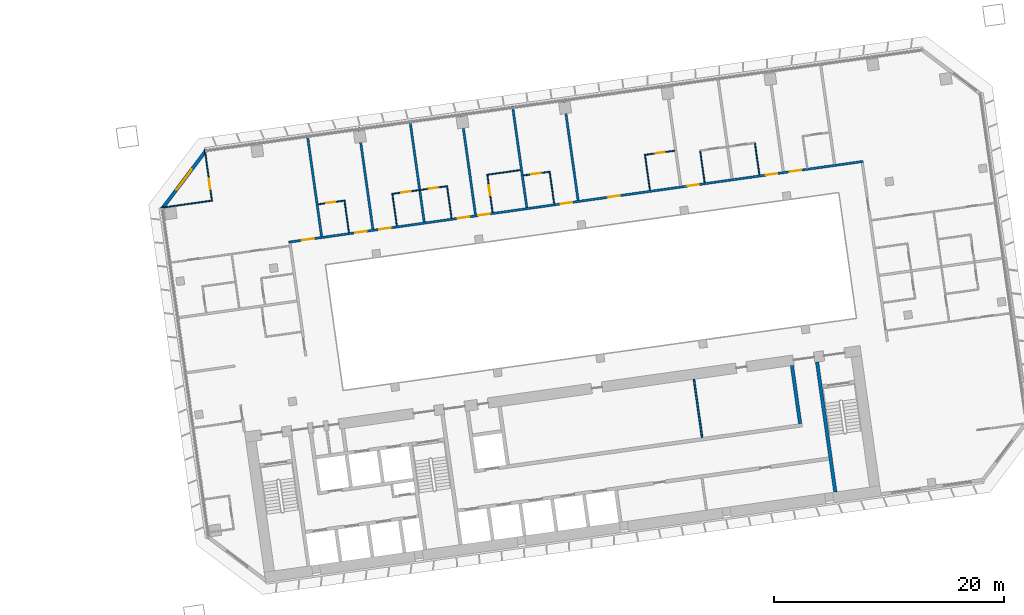
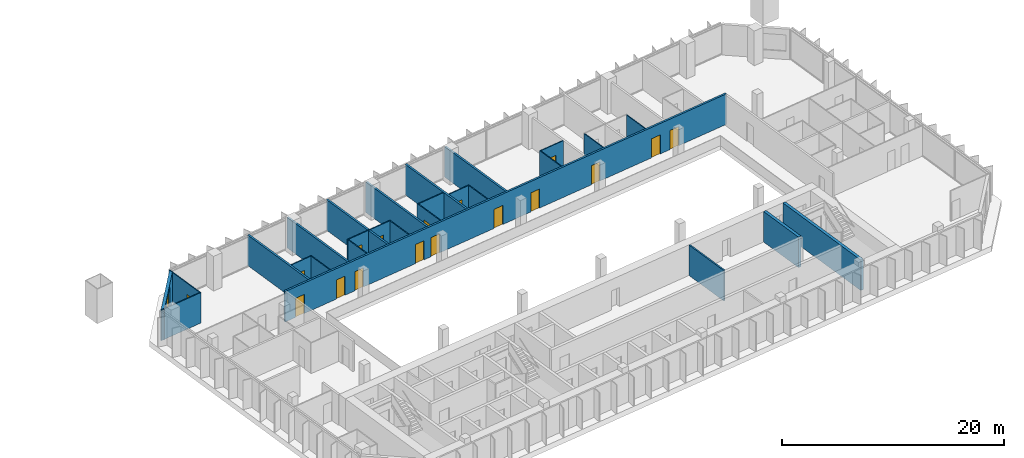
# One storey, part 20 of 24: 26 walls, 17 doors, 1 window, 18 openings.
"""IFC4 building model written with IfcOpenShell, lengths in metres."""

import ifcopenshell
import ifcopenshell.guid

model = None  # the IFC model being written
_history = None  # IfcOwnerHistory: only IFC2X3 demands one
_inside = {}  # id of a spatial element -> (the spatial element, [elements in it])
_under = {}  # id of a project, library or spatial element -> (it, [spatial elements below it])
_declared = {}  # id of a project -> (the project, [libraries it declares])
_typed = {}  # id of a type object -> (the type object, [elements of that type])
_made_of = {}  # id of a material, layer set ... -> (it, [elements and type objects made of it])


def new_model(schema):
    """Start an empty IFC model of exactly this schema.

    Asked for "IFC4X3", IfcOpenShell would pick the latest addendum, in which some entities
    have other attributes; the version numbers below select the first issue.
    IFC2X3 requires an IfcOwnerHistory on every rooted entity: one is made here for all.
    """
    global model, _history
    if schema == "IFC4X3":
        model = ifcopenshell.file(schema_version=(4, 3, 0, 0))
    else:
        model = ifcopenshell.file(schema=schema)
    _inside.clear()
    _under.clear()
    _declared.clear()
    _typed.clear()
    _made_of.clear()
    _history = None
    if model.schema == "IFC2X3":
        org = make("IfcOrganization", Name="unknown")
        user = make(
            "IfcPersonAndOrganization",
            ThePerson=make("IfcPerson", FamilyName="unknown"),
            TheOrganization=org,
        )
        app = make(
            "IfcApplication",
            ApplicationDeveloper=org,
            Version="unknown",
            ApplicationFullName="unknown",
            ApplicationIdentifier="unknown",
        )
        _history = make(
            "IfcOwnerHistory",
            OwningUser=user,
            OwningApplication=app,
            ChangeAction="ADDED",
            CreationDate=0,
        )
    return model


def make(cls, **values):
    """One entity of the class cls with the attributes given. An attribute that is None is left unset."""
    return model.create_entity(
        cls, **{name: value for name, value in values.items() if value is not None}
    )


def rooted(cls, **values):
    """An entity with a GlobalId (a new one), such as an element, a storey or a relation."""
    return make(cls, GlobalId=ifcopenshell.guid.new(), OwnerHistory=_history, **values)


def si_unit(unit_type, name, prefix=None):
    """IfcSIUnit, for example si_unit("LENGTHUNIT", "METRE", prefix="MILLI")."""
    return make("IfcSIUnit", UnitType=unit_type, Prefix=prefix, Name=name)


def assignment(units):
    """IfcUnitAssignment: the units of a project."""
    return None if units is None else make("IfcUnitAssignment", Units=units)


def point(xyz):
    """IfcCartesianPoint."""
    return None if xyz is None else make("IfcCartesianPoint", Coordinates=xyz)


def direction(xyz):
    """IfcDirection."""
    return None if xyz is None else make("IfcDirection", DirectionRatios=xyz)


def frame(location, z_axis=None, x_axis=None):
    """IfcAxis2Placement3D, a coordinate frame: its origin and axes. An axis left out is left unset."""
    return make(
        "IfcAxis2Placement3D",
        Location=point(location),
        Axis=direction(z_axis),
        RefDirection=direction(x_axis),
    )


def frame_2d(location, x_axis=None):
    """IfcAxis2Placement2D, a coordinate frame in the plane: its origin and x axis."""
    return make(
        "IfcAxis2Placement2D", Location=point(location), RefDirection=direction(x_axis)
    )


def origin():
    """The frame at (0, 0, 0) with its axes left unset."""
    return frame((0.0, 0.0, 0.0))


def place(relative_to, where):
    """IfcLocalPlacement: puts the frame where relative to a parent placement (None: the world)."""
    return make(
        "IfcLocalPlacement", PlacementRelTo=relative_to, RelativePlacement=where
    )


def context(
    kind, dimensions, precision=None, world=None, true_north=None, identifier=None
):
    """IfcGeometricRepresentationContext, for example the 3D "Model" context."""
    return make(
        "IfcGeometricRepresentationContext",
        ContextIdentifier=identifier,
        ContextType=kind,
        CoordinateSpaceDimension=dimensions,
        Precision=precision,
        WorldCoordinateSystem=world,
        TrueNorth=true_north,
    )


def subcontext(parent, identifier, kind, view, scale=None):
    """IfcGeometricRepresentationSubContext, for example "Body" below "Model"."""
    return make(
        "IfcGeometricRepresentationSubContext",
        ContextIdentifier=identifier,
        ContextType=kind,
        ParentContext=parent,
        TargetScale=scale,
        TargetView=view,
    )


def project(units=None, contexts=None):
    """IfcProject with its units and contexts."""
    return rooted(
        "IfcProject",
        Name="project",
        RepresentationContexts=contexts,
        UnitsInContext=assignment(units),
    )


def spatial(cls, under=None, at=None, **own):
    """A site, building, storey or space (cls), placed at a placement, below another one or the project."""
    s = rooted(cls, ObjectPlacement=at, **own)
    if under is not None:
        _under.setdefault(under.id(), (under, []))[1].append(s)
    return s


def profile(cls, at=None, kind="AREA", **sizes):
    """A parametric profile (cls). Its sizes go by their IFC names, for example OverallWidth=200.0."""
    return make(cls, ProfileType=kind, Position=at, **sizes)


def rectangle(**sizes):
    """IfcRectangleProfileDef."""
    return profile("IfcRectangleProfileDef", **sizes)


def extrude(swept, where, along, depth):
    """IfcExtrudedAreaSolid: the profile swept, set in the frame where, extruded along a direction by depth."""
    return make(
        "IfcExtrudedAreaSolid",
        SweptArea=swept,
        Position=where,
        ExtrudedDirection=direction(along),
        Depth=depth,
    )


def shape(context_of_items, identifier, shape_type, items):
    """IfcShapeRepresentation: the items that make up one representation, for example the "Body"."""
    return make(
        "IfcShapeRepresentation",
        ContextOfItems=context_of_items,
        RepresentationIdentifier=identifier,
        RepresentationType=shape_type,
        Items=items,
    )


def material(Name=None, Category=None):
    """IfcMaterial."""
    return make("IfcMaterial", Name=Name, Category=Category)


def layer(
    of_material, thickness, ventilated=None, Name=None, Category=None, Priority=None
):
    """IfcMaterialLayer: one layer of a wall or slab, of a material (None: an air gap)."""
    return make(
        "IfcMaterialLayer",
        Material=of_material,
        LayerThickness=thickness,
        IsVentilated=ventilated,
        Name=Name,
        Category=Category,
        Priority=Priority,
    )


def layer_set(layers, Name=None):
    """IfcMaterialLayerSet."""
    return make("IfcMaterialLayerSet", MaterialLayers=layers, LayerSetName=Name)


def made_of(thing, what):
    """Note that an element or type object is made of a material, layer set ...; save() writes the relation."""
    if what is not None:
        _made_of.setdefault(what.id(), (what, []))[1].append(thing)
    return thing


def type_object(cls, material=None, **own):
    """A type object (cls), such as IfcWallType, which elements share."""
    return made_of(rooted(cls, **own), material)


def element(
    cls,
    number,
    at=None,
    inside=None,
    cuts=None,
    type_object=None,
    material=None,
    context=None,
    identifier="Body",
    shape_type=None,
    held_by="IfcProductDefinitionShape",
    body=None,
    shapes=None,
    **own,
):
    """One element of the class cls, such as IfcWall. Its Tag is "e" and its number.

    at: its placement. inside: the storey or other place that contains it. cuts: it is an
    opening in that element (IfcRelVoidsElement). A single representation is given by context,
    identifier, shape_type and body (its items); several are given by shapes. held_by: the class
    of the entity that holds the representations. save() writes the other relations.
    """
    e = rooted(cls, Tag="e%d" % number, ObjectPlacement=at, **own)
    if body is not None:
        shapes = [shape(context, identifier, shape_type, body)]
    if shapes is not None:
        e.Representation = make(held_by, Representations=shapes)
    if inside is not None:
        _inside.setdefault(inside.id(), (inside, []))[1].append(e)
    if cuts is not None:
        rooted(
            "IfcRelVoidsElement", RelatingBuildingElement=cuts, RelatedOpeningElement=e
        )
    if type_object is not None:
        _typed.setdefault(type_object.id(), (type_object, []))[1].append(e)
    return made_of(e, material)


def fill(opening, filler):
    """IfcRelFillsElement: the door or window that sits in an opening."""
    return rooted(
        "IfcRelFillsElement",
        RelatingOpeningElement=opening,
        RelatedBuildingElement=filler,
    )


def aggregate(whole, parts):
    """IfcRelAggregates: a whole, such as a stair, and the parts it consists of."""
    return rooted("IfcRelAggregates", RelatingObject=whole, RelatedObjects=parts)


def save(model, path):
    """Write the relations noted so far, then the file.

    IfcRelAggregates (storeys below a building ...), IfcRelContainedInSpatialStructure (elements
    in a storey), IfcRelDefinesByType, IfcRelAssociatesMaterial and IfcRelDeclares: one each for
    every whole, place, type object, material and project.
    """
    for whole, parts in _under.values():
        aggregate(whole, parts)
    for where, things in _inside.values():
        rooted(
            "IfcRelContainedInSpatialStructure",
            RelatedElements=things,
            RelatingStructure=where,
        )
    for kind, things in _typed.values():
        rooted("IfcRelDefinesByType", RelatedObjects=things, RelatingType=kind)
    for what, things in _made_of.values():
        rooted("IfcRelAssociatesMaterial", RelatedObjects=things, RelatingMaterial=what)
    for by, libraries in _declared.values():
        rooted("IfcRelDeclares", RelatingContext=by, RelatedDefinitions=libraries)
    model.write(path)


model = new_model("IFC4")

# Units and contexts
model_context = context("Model", 3, precision=1e-05, world=origin(), true_north=direction((0.0, 1.0)))
body_context = subcontext(model_context, "Body", "Model", "MODEL_VIEW")
ifc_project = project(units=[si_unit("LENGTHUNIT", "METRE"), si_unit("AREAUNIT", "SQUARE_METRE"), si_unit("VOLUMEUNIT", "CUBIC_METRE"), si_unit("PLANEANGLEUNIT", "RADIAN"), si_unit("MASSUNIT", "GRAM", prefix="KILO")], contexts=[model_context])

# Site, building, storey
site_placement = place(None, origin())
site = spatial("IfcSite", under=ifc_project, at=site_placement, CompositionType="ELEMENT")
building_placement = place(site_placement, origin())
building = spatial("IfcBuilding", under=site, at=building_placement, Name="Mirante Cascada Hotel Towers", CompositionType="ELEMENT")
storey_placement = place(building_placement, frame((0.0, 0.0, 43.3)))
storey = spatial("IfcBuildingStorey", under=building, at=storey_placement, Name="L07", CompositionType="ELEMENT", Elevation=43.3)

# Wall, openings, doors
ifc_material_1 = material(Name="Fire-rated plasterboard on metal studs")
ifc_layer_1 = layer(ifc_material_1, 0.2)
ifc_layer_set_1 = layer_set([ifc_layer_1], Name="Compartment wall 200 EI 120")
wall_type_1 = type_object("IfcWallType", Name="Compartment wall 200 EI 120", PredefinedType="PARTITIONING", material=ifc_layer_set_1)
wall_1_placement = place(storey_placement, frame((39.1051, 9.3779, 0.0), z_axis=(0.0, 0.0, 1.0), x_axis=(0.9902681, 0.1391727, 0.0)))
wall_1 = element("IfcWall", 1, at=wall_1_placement, inside=storey, type_object=wall_type_1, Name="Wall 2-L07-18", PredefinedType="PARTITIONING", context=body_context, shape_type="SweptSolid", body=[
    extrude(rectangle(XDim=50.4, YDim=0.2, at=frame_2d((25.2, 0.0))), origin(), (0.0, 0.0, 1.0), 3.35),
])
opening_1_placement = place(wall_1_placement, frame((1.2, 0.0, 0.0)))
opening_1 = element("IfcOpeningElement", 2, at=opening_1_placement, cuts=wall_1, Name="Opening D2-L07-09", PredefinedType="OPENING", context=body_context, shape_type="SweptSolid", body=[
    extrude(rectangle(XDim=1.0, YDim=2.1, at=frame_2d((0.5, 1.05))), frame((0.0, 0.1, 0.0), z_axis=(0.0, -1.0, 0.0), x_axis=(1.0, 0.0, 0.0)), (0.0, 0.0, 1.0), 0.2),
])
opening_2_placement = place(wall_1_placement, frame((5.85, 0.0, 0.0)))
opening_2 = element("IfcOpeningElement", 3, at=opening_2_placement, cuts=wall_1, Name="Opening D2-L07-10", PredefinedType="OPENING", context=body_context, shape_type="SweptSolid", body=[
    extrude(rectangle(XDim=1.0, YDim=2.1, at=frame_2d((0.5, 1.05))), frame((0.0, 0.1, 0.0), z_axis=(0.0, -1.0, 0.0), x_axis=(1.0, 0.0, 0.0)), (0.0, 0.0, 1.0), 0.2),
])
opening_3_placement = place(wall_1_placement, frame((7.95, 0.0, 0.0)))
opening_3 = element("IfcOpeningElement", 4, at=opening_3_placement, cuts=wall_1, Name="Opening D2-L07-11", PredefinedType="OPENING", context=body_context, shape_type="SweptSolid", body=[
    extrude(rectangle(XDim=1.0, YDim=2.1, at=frame_2d((0.5, 1.05))), frame((0.0, 0.1, 0.0), z_axis=(0.0, -1.0, 0.0), x_axis=(1.0, 0.0, 0.0)), (0.0, 0.0, 1.0), 0.2),
])
opening_4_placement = place(wall_1_placement, frame((14.85, 0.0, 0.0)))
opening_4 = element("IfcOpeningElement", 5, at=opening_4_placement, cuts=wall_1, Name="Opening D2-L07-12", PredefinedType="OPENING", context=body_context, shape_type="SweptSolid", body=[
    extrude(rectangle(XDim=1.0, YDim=2.1, at=frame_2d((0.5, 1.05))), frame((0.0, 0.1, 0.0), z_axis=(0.0, -1.0, 0.0), x_axis=(1.0, 0.0, 0.0)), (0.0, 0.0, 1.0), 0.2),
])
opening_5_placement = place(wall_1_placement, frame((16.65, 0.0, 0.0)))
opening_5 = element("IfcOpeningElement", 6, at=opening_5_placement, cuts=wall_1, Name="Opening D2-L07-13", PredefinedType="OPENING", context=body_context, shape_type="SweptSolid", body=[
    extrude(rectangle(XDim=1.0, YDim=2.1, at=frame_2d((0.5, 1.05))), frame((0.0, 0.1, 0.0), z_axis=(0.0, -1.0, 0.0), x_axis=(1.0, 0.0, 0.0)), (0.0, 0.0, 1.0), 0.2),
])
opening_6_placement = place(wall_1_placement, frame((23.85, 0.0, 0.0)))
opening_6 = element("IfcOpeningElement", 7, at=opening_6_placement, cuts=wall_1, Name="Opening D2-L07-14", PredefinedType="OPENING", context=body_context, shape_type="SweptSolid", body=[
    extrude(rectangle(XDim=1.0, YDim=2.1, at=frame_2d((0.5, 1.05))), frame((0.0, 0.1, 0.0), z_axis=(0.0, -1.0, 0.0), x_axis=(1.0, 0.0, 0.0)), (0.0, 0.0, 1.0), 0.2),
])
opening_7_placement = place(wall_1_placement, frame((28.05, 0.0, 0.0)))
opening_7 = element("IfcOpeningElement", 8, at=opening_7_placement, cuts=wall_1, Name="Opening D2-L07-15", PredefinedType="OPENING", context=body_context, shape_type="SweptSolid", body=[
    extrude(rectangle(XDim=1.0, YDim=2.1, at=frame_2d((0.5, 1.05))), frame((0.0, 0.1, 0.0), z_axis=(0.0, -1.0, 0.0), x_axis=(1.0, 0.0, 0.0)), (0.0, 0.0, 1.0), 0.2),
])
opening_8_placement = place(wall_1_placement, frame((34.95, 0.0, 0.0)))
opening_8 = element("IfcOpeningElement", 9, at=opening_8_placement, cuts=wall_1, Name="Opening D2-L07-16", PredefinedType="OPENING", context=body_context, shape_type="SweptSolid", body=[
    extrude(rectangle(XDim=1.0, YDim=2.1, at=frame_2d((0.5, 1.05))), frame((0.0, 0.1, 0.0), z_axis=(0.0, -1.0, 0.0), x_axis=(1.0, 0.0, 0.0)), (0.0, 0.0, 1.0), 0.2),
])
opening_9_placement = place(wall_1_placement, frame((41.85, 0.0, 0.0)))
opening_9 = element("IfcOpeningElement", 10, at=opening_9_placement, cuts=wall_1, Name="Opening D2-L07-17", PredefinedType="OPENING", context=body_context, shape_type="SweptSolid", body=[
    extrude(rectangle(XDim=1.0, YDim=2.1, at=frame_2d((0.5, 1.05))), frame((0.0, 0.1, 0.0), z_axis=(0.0, -1.0, 0.0), x_axis=(1.0, 0.0, 0.0)), (0.0, 0.0, 1.0), 0.2),
])
opening_10_placement = place(wall_1_placement, frame((43.95, 0.0, 0.0)))
opening_10 = element("IfcOpeningElement", 11, at=opening_10_placement, cuts=wall_1, Name="Opening D2-L07-18", PredefinedType="OPENING", context=body_context, shape_type="SweptSolid", body=[
    extrude(rectangle(XDim=1.0, YDim=2.1, at=frame_2d((0.5, 1.05))), frame((0.0, 0.1, 0.0), z_axis=(0.0, -1.0, 0.0), x_axis=(1.0, 0.0, 0.0)), (0.0, 0.0, 1.0), 0.2),
])
ifc_material_2 = material(Name="Fire-rated timber door leaf", Category="wood")
door_type_1 = type_object("IfcDoorType", Name="Entrance door DG1 1000x2100 EI 60", OperationType="SINGLE_SWING_LEFT", PredefinedType="DOOR", material=ifc_material_2)
door_1_placement = place(opening_1_placement, origin())
door_1 = element("IfcDoor", 12, at=door_1_placement, inside=storey, type_object=door_type_1, Name="Door D2-L07-09", OperationType="SINGLE_SWING_LEFT", OverallHeight=2.1, OverallWidth=1.0, PredefinedType="DOOR", context=body_context, shape_type="SweptSolid", body=[
    extrude(rectangle(XDim=1.0, YDim=2.1, at=frame_2d((0.5, 1.05))), frame((0.0, 0.025, 0.0), z_axis=(0.0, -1.0, 0.0), x_axis=(1.0, 0.0, 0.0)), (0.0, 0.0, 1.0), 0.05),
])
fill(opening_1, door_1)
door_2_placement = place(opening_2_placement, origin())
door_2 = element("IfcDoor", 13, at=door_2_placement, inside=storey, type_object=door_type_1, Name="Door D2-L07-10", OperationType="SINGLE_SWING_LEFT", OverallHeight=2.1, OverallWidth=1.0, PredefinedType="DOOR", context=body_context, shape_type="SweptSolid", body=[
    extrude(rectangle(XDim=1.0, YDim=2.1, at=frame_2d((0.5, 1.05))), frame((0.0, 0.025, 0.0), z_axis=(0.0, -1.0, 0.0), x_axis=(1.0, 0.0, 0.0)), (0.0, 0.0, 1.0), 0.05),
])
fill(opening_2, door_2)
door_3_placement = place(opening_3_placement, origin())
door_3 = element("IfcDoor", 14, at=door_3_placement, inside=storey, type_object=door_type_1, Name="Door D2-L07-11", OperationType="SINGLE_SWING_LEFT", OverallHeight=2.1, OverallWidth=1.0, PredefinedType="DOOR", context=body_context, shape_type="SweptSolid", body=[
    extrude(rectangle(XDim=1.0, YDim=2.1, at=frame_2d((0.5, 1.05))), frame((0.0, 0.025, 0.0), z_axis=(0.0, -1.0, 0.0), x_axis=(1.0, 0.0, 0.0)), (0.0, 0.0, 1.0), 0.05),
])
fill(opening_3, door_3)
door_4_placement = place(opening_4_placement, origin())
door_4 = element("IfcDoor", 15, at=door_4_placement, inside=storey, type_object=door_type_1, Name="Door D2-L07-12", OperationType="SINGLE_SWING_LEFT", OverallHeight=2.1, OverallWidth=1.0, PredefinedType="DOOR", context=body_context, shape_type="SweptSolid", body=[
    extrude(rectangle(XDim=1.0, YDim=2.1, at=frame_2d((0.5, 1.05))), frame((0.0, 0.025, 0.0), z_axis=(0.0, -1.0, 0.0), x_axis=(1.0, 0.0, 0.0)), (0.0, 0.0, 1.0), 0.05),
])
fill(opening_4, door_4)
door_5_placement = place(opening_5_placement, origin())
door_5 = element("IfcDoor", 16, at=door_5_placement, inside=storey, type_object=door_type_1, Name="Door D2-L07-13", OperationType="SINGLE_SWING_LEFT", OverallHeight=2.1, OverallWidth=1.0, PredefinedType="DOOR", context=body_context, shape_type="SweptSolid", body=[
    extrude(rectangle(XDim=1.0, YDim=2.1, at=frame_2d((0.5, 1.05))), frame((0.0, 0.025, 0.0), z_axis=(0.0, -1.0, 0.0), x_axis=(1.0, 0.0, 0.0)), (0.0, 0.0, 1.0), 0.05),
])
fill(opening_5, door_5)
door_6_placement = place(opening_6_placement, origin())
door_6 = element("IfcDoor", 17, at=door_6_placement, inside=storey, type_object=door_type_1, Name="Door D2-L07-14", OperationType="SINGLE_SWING_LEFT", OverallHeight=2.1, OverallWidth=1.0, PredefinedType="DOOR", context=body_context, shape_type="SweptSolid", body=[
    extrude(rectangle(XDim=1.0, YDim=2.1, at=frame_2d((0.5, 1.05))), frame((0.0, 0.025, 0.0), z_axis=(0.0, -1.0, 0.0), x_axis=(1.0, 0.0, 0.0)), (0.0, 0.0, 1.0), 0.05),
])
fill(opening_6, door_6)
door_7_placement = place(opening_7_placement, origin())
door_7 = element("IfcDoor", 18, at=door_7_placement, inside=storey, type_object=door_type_1, Name="Door D2-L07-15", OperationType="SINGLE_SWING_LEFT", OverallHeight=2.1, OverallWidth=1.0, PredefinedType="DOOR", context=body_context, shape_type="SweptSolid", body=[
    extrude(rectangle(XDim=1.0, YDim=2.1, at=frame_2d((0.5, 1.05))), frame((0.0, 0.025, 0.0), z_axis=(0.0, -1.0, 0.0), x_axis=(1.0, 0.0, 0.0)), (0.0, 0.0, 1.0), 0.05),
])
fill(opening_7, door_7)
door_8_placement = place(opening_8_placement, origin())
door_8 = element("IfcDoor", 19, at=door_8_placement, inside=storey, type_object=door_type_1, Name="Door D2-L07-16", OperationType="SINGLE_SWING_LEFT", OverallHeight=2.1, OverallWidth=1.0, PredefinedType="DOOR", context=body_context, shape_type="SweptSolid", body=[
    extrude(rectangle(XDim=1.0, YDim=2.1, at=frame_2d((0.5, 1.05))), frame((0.0, 0.025, 0.0), z_axis=(0.0, -1.0, 0.0), x_axis=(1.0, 0.0, 0.0)), (0.0, 0.0, 1.0), 0.05),
])
fill(opening_8, door_8)
door_9_placement = place(opening_9_placement, origin())
door_9 = element("IfcDoor", 20, at=door_9_placement, inside=storey, type_object=door_type_1, Name="Door D2-L07-17", OperationType="SINGLE_SWING_LEFT", OverallHeight=2.1, OverallWidth=1.0, PredefinedType="DOOR", context=body_context, shape_type="SweptSolid", body=[
    extrude(rectangle(XDim=1.0, YDim=2.1, at=frame_2d((0.5, 1.05))), frame((0.0, 0.025, 0.0), z_axis=(0.0, -1.0, 0.0), x_axis=(1.0, 0.0, 0.0)), (0.0, 0.0, 1.0), 0.05),
])
fill(opening_9, door_9)
door_10_placement = place(opening_10_placement, origin())
door_10 = element("IfcDoor", 21, at=door_10_placement, inside=storey, type_object=door_type_1, Name="Door D2-L07-18", OperationType="SINGLE_SWING_LEFT", OverallHeight=2.1, OverallWidth=1.0, PredefinedType="DOOR", context=body_context, shape_type="SweptSolid", body=[
    extrude(rectangle(XDim=1.0, YDim=2.1, at=frame_2d((0.5, 1.05))), frame((0.0, 0.025, 0.0), z_axis=(0.0, -1.0, 0.0), x_axis=(1.0, 0.0, 0.0)), (0.0, 0.0, 1.0), 0.05),
])
fill(opening_10, door_10)

# Walls
for number, where, z_axis, x_axis, name in (
    (22, (40.7243, 18.6939, 0.0), (0.0, 0.0, 1.0), (0.1391794, -0.9902672, 0.0), "Wall 2-L07-35"),
    (23, (45.1805, 19.3202, 0.0), (0.0, 0.0, 1.0), (0.1391794, -0.9902672, 0.0), "Wall 2-L07-37"),
    (24, (49.6367, 19.9465, 0.0), (0.0, 0.0, 1.0), (0.1391794, -0.9902672, 0.0), "Wall 2-L07-39"),
    (25, (54.0929, 20.5728, 0.0), (0.0, 0.0, 1.0), (0.1391794, -0.9902672, 0.0), "Wall 2-L07-41"),
):
    element("IfcWall", number, at=place(storey_placement, frame(where, z_axis=z_axis, x_axis=x_axis)), inside=storey, type_object=wall_type_1, Name=name, PredefinedType="PARTITIONING", context=body_context, shape_type="SweptSolid", body=[
        extrude(rectangle(XDim=8.9, YDim=0.2, at=frame_2d((4.45, 0.0))), origin(), (0.0, 0.0, 1.0), 3.35),
    ])
wall_2_placement = place(storey_placement, frame((58.5492, 21.199, 0.0), z_axis=(0.0, 0.0, 1.0), x_axis=(0.13917, -0.9902685, 0.0)))
element("IfcWall", 26, at=wall_2_placement, inside=storey, type_object=wall_type_1, Name="Wall 2-L07-43", PredefinedType="PARTITIONING", context=body_context, shape_type="SweptSolid", body=[
    extrude(rectangle(XDim=8.8999, YDim=0.2, at=frame_2d((4.45, 0.0))), origin(), (0.0, 0.0, 1.0), 3.35),
])
wall_3_placement = place(storey_placement, frame((63.0054, 21.8253, 0.0), z_axis=(0.0, 0.0, 1.0), x_axis=(0.1391684, -0.9902687, 0.0)))
element("IfcWall", 27, at=wall_3_placement, inside=storey, type_object=wall_type_1, Name="Wall 2-L07-45", PredefinedType="PARTITIONING", context=body_context, shape_type="SweptSolid", body=[
    extrude(rectangle(XDim=8.9, YDim=0.2, at=frame_2d((4.45, 0.0))), origin(), (0.0, 0.0, 1.0), 3.35),
])
ifc_material_3 = material(Name="Masonry block", Category="masonry")
ifc_layer_2 = layer(ifc_material_3, 0.15)
ifc_layer_set_2 = layer_set([ifc_layer_2], Name="Core room partition 150 block EI 30")
wall_type_2 = type_object("IfcWallType", Name="Core room partition 150 block EI 30", PredefinedType="PARTITIONING", material=ifc_layer_set_2)
wall_4_placement = place(storey_placement, frame((75.016, -7.5894, 0.0), z_axis=(0.0, 0.0, 1.0), x_axis=(-0.1391755, 0.9902677, 0.0)))
element("IfcWall", 28, at=wall_4_placement, inside=storey, type_object=wall_type_2, Name="Core wall partition T2 L07 6", PredefinedType="PARTITIONING", context=body_context, shape_type="SweptSolid", body=[
    extrude(rectangle(XDim=5.1, YDim=0.15, at=frame_2d((2.55, 0.0))), origin(), (0.0, 0.0, 1.0), 3.35),
])

# Wall, opening, door
ifc_material_4 = material(Name="Plasterboard on metal studs")
ifc_layer_3 = layer(ifc_material_4, 0.1)
ifc_layer_set_3 = layer_set([ifc_layer_3], Name="Partition 100")
wall_type_3 = type_object("IfcWallType", Name="Partition 100", PredefinedType="PARTITIONING", material=ifc_layer_set_3)
wall_5_placement = place(storey_placement, frame((43.9004, 12.9804, 0.0), z_axis=(0.0, 0.0, 1.0), x_axis=(-0.9902643, -0.1391997, 0.0)))
wall_5 = element("IfcWall", 29, at=wall_5_placement, inside=storey, type_object=wall_type_3, Name="Wall 2-L07-19", PredefinedType="PARTITIONING", context=body_context, shape_type="SweptSolid", body=[
    extrude(rectangle(XDim=2.25, YDim=0.1, at=frame_2d((1.125, 0.0))), origin(), (0.0, 0.0, 1.0), 3.35),
])
opening_11_placement = place(wall_5_placement, frame((0.75, 0.0, 0.0)))
opening_11 = element("IfcOpeningElement", 30, at=opening_11_placement, cuts=wall_5, Name="Opening D2-L07-19", PredefinedType="OPENING", context=body_context, shape_type="SweptSolid", body=[
    extrude(rectangle(XDim=0.8, YDim=2.1, at=frame_2d((0.4, 1.05))), frame((0.0, 0.05, 0.0), z_axis=(0.0, -1.0, 0.0), x_axis=(1.0, 0.0, 0.0)), (0.0, 0.0, 1.0), 0.1),
])
ifc_material_5 = material(Name="Timber door leaf", Category="wood")
door_type_2 = type_object("IfcDoorType", Name="Bathroom door DG4 800x2100", OperationType="SINGLE_SWING_LEFT", PredefinedType="DOOR", material=ifc_material_5)
door_11_placement = place(opening_11_placement, frame((0.8, 0.0, 0.0), z_axis=(0.0, 0.0, 1.0), x_axis=(-1.0, 0.0, 0.0)))
door_11 = element("IfcDoor", 31, at=door_11_placement, inside=storey, type_object=door_type_2, Name="Door D2-L07-19", OperationType="SINGLE_SWING_RIGHT", OverallHeight=2.1, OverallWidth=0.8, PredefinedType="DOOR", context=body_context, shape_type="SweptSolid", body=[
    extrude(rectangle(XDim=0.8, YDim=2.1, at=frame_2d((0.4, 1.05))), frame((0.0, 0.025, 0.0), z_axis=(0.0, -1.0, 0.0), x_axis=(1.0, 0.0, 0.0)), (0.0, 0.0, 1.0), 0.05),
])
fill(opening_11, door_11)

# Wall, openings, doors
wall_6_placement = place(storey_placement, frame((48.0595, 13.5649, 0.0), z_axis=(0.0, 0.0, 1.0), x_axis=(0.9902698, 0.139161, 0.0)))
wall_6 = element("IfcWall", 32, at=wall_6_placement, inside=storey, type_object=wall_type_3, Name="Wall 2-L07-20", PredefinedType="PARTITIONING", context=body_context, shape_type="SweptSolid", body=[
    extrude(rectangle(XDim=4.9001, YDim=0.1, at=frame_2d((2.45, 0.0))), origin(), (0.0, 0.0, 1.0), 3.35),
])
opening_12_placement = place(wall_6_placement, frame((0.85, 0.0, 0.0)))
opening_12 = element("IfcOpeningElement", 33, at=opening_12_placement, cuts=wall_6, Name="Opening D2-L07-20", PredefinedType="OPENING", context=body_context, shape_type="SweptSolid", body=[
    extrude(rectangle(XDim=0.8, YDim=2.1, at=frame_2d((0.4, 1.05))), frame((0.0, 0.05, 0.0), z_axis=(0.0, -1.0, 0.0), x_axis=(1.0, 0.0, 0.0)), (0.0, 0.0, 1.0), 0.1),
])
opening_13_placement = place(wall_6_placement, frame((3.25, 0.0, 0.0)))
opening_13 = element("IfcOpeningElement", 34, at=opening_13_placement, cuts=wall_6, Name="Opening D2-L07-21", PredefinedType="OPENING", context=body_context, shape_type="SweptSolid", body=[
    extrude(rectangle(XDim=0.8, YDim=2.1, at=frame_2d((0.4, 1.05))), frame((0.0, 0.05, 0.0), z_axis=(0.0, -1.0, 0.0), x_axis=(1.0, 0.0, 0.0)), (0.0, 0.0, 1.0), 0.1),
])
door_12_placement = place(opening_12_placement, origin())
door_12 = element("IfcDoor", 35, at=door_12_placement, inside=storey, type_object=door_type_2, Name="Door D2-L07-20", OperationType="SINGLE_SWING_LEFT", OverallHeight=2.1, OverallWidth=0.8, PredefinedType="DOOR", context=body_context, shape_type="SweptSolid", body=[
    extrude(rectangle(XDim=0.8, YDim=2.1, at=frame_2d((0.4, 1.05))), frame((0.0, 0.025, 0.0), z_axis=(0.0, -1.0, 0.0), x_axis=(1.0, 0.0, 0.0)), (0.0, 0.0, 1.0), 0.05),
])
fill(opening_12, door_12)
door_13_placement = place(opening_13_placement, origin())
door_13 = element("IfcDoor", 36, at=door_13_placement, inside=storey, type_object=door_type_2, Name="Door D2-L07-21", OperationType="SINGLE_SWING_LEFT", OverallHeight=2.1, OverallWidth=0.8, PredefinedType="DOOR", context=body_context, shape_type="SweptSolid", body=[
    extrude(rectangle(XDim=0.8, YDim=2.1, at=frame_2d((0.4, 1.05))), frame((0.0, 0.025, 0.0), z_axis=(0.0, -1.0, 0.0), x_axis=(1.0, 0.0, 0.0)), (0.0, 0.0, 1.0), 0.05),
])
fill(opening_13, door_13)

# Wall, opening, door
wall_7_placement = place(storey_placement, frame((61.7252, 15.4855, 0.0), z_axis=(0.0, 0.0, 1.0), x_axis=(-0.9902643, -0.1391997, 0.0)))
wall_7 = element("IfcWall", 37, at=wall_7_placement, inside=storey, type_object=wall_type_3, Name="Wall 2-L07-21", PredefinedType="PARTITIONING", context=body_context, shape_type="SweptSolid", body=[
    extrude(rectangle(XDim=2.25, YDim=0.1, at=frame_2d((1.125, 0.0))), origin(), (0.0, 0.0, 1.0), 3.35),
])
opening_14_placement = place(wall_7_placement, frame((0.75, 0.0, 0.0)))
opening_14 = element("IfcOpeningElement", 38, at=opening_14_placement, cuts=wall_7, Name="Opening D2-L07-22", PredefinedType="OPENING", context=body_context, shape_type="SweptSolid", body=[
    extrude(rectangle(XDim=0.8, YDim=2.1, at=frame_2d((0.4, 1.05))), frame((0.0, 0.05, 0.0), z_axis=(0.0, -1.0, 0.0), x_axis=(1.0, 0.0, 0.0)), (0.0, 0.0, 1.0), 0.1),
])
door_14_placement = place(opening_14_placement, frame((0.8, 0.0, 0.0), z_axis=(0.0, 0.0, 1.0), x_axis=(-1.0, 0.0, 0.0)))
door_14 = element("IfcDoor", 39, at=door_14_placement, inside=storey, type_object=door_type_2, Name="Door D2-L07-22", OperationType="SINGLE_SWING_RIGHT", OverallHeight=2.1, OverallWidth=0.8, PredefinedType="DOOR", context=body_context, shape_type="SweptSolid", body=[
    extrude(rectangle(XDim=0.8, YDim=2.1, at=frame_2d((0.4, 1.05))), frame((0.0, 0.025, 0.0), z_axis=(0.0, -1.0, 0.0), x_axis=(1.0, 0.0, 0.0)), (0.0, 0.0, 1.0), 0.05),
])
fill(opening_14, door_14)

wall_8_placement = place(storey_placement, frame((70.1008, 16.9655, 0.0), z_axis=(0.0, 0.0, 1.0), x_axis=(0.9902677, 0.1391755, 0.0)))
wall_8 = element("IfcWall", 40, at=wall_8_placement, inside=storey, type_object=wall_type_3, Name="Wall 2-L07-24", PredefinedType="PARTITIONING", context=body_context, shape_type="SweptSolid", body=[
    extrude(rectangle(XDim=2.55, YDim=0.1, at=frame_2d((1.275, 0.0))), origin(), (0.0, 0.0, 1.0), 3.35),
])
opening_15_placement = place(wall_8_placement, frame((0.9, 0.0, 0.0)))
opening_15 = element("IfcOpeningElement", 41, at=opening_15_placement, cuts=wall_8, Name="Opening D2-L07-26", PredefinedType="OPENING", context=body_context, shape_type="SweptSolid", body=[
    extrude(rectangle(XDim=0.8, YDim=2.1, at=frame_2d((0.4, 1.05))), frame((0.0, 0.05, 0.0), z_axis=(0.0, -1.0, 0.0), x_axis=(1.0, 0.0, 0.0)), (0.0, 0.0, 1.0), 0.1),
])
door_15_placement = place(opening_15_placement, origin())
door_15 = element("IfcDoor", 42, at=door_15_placement, inside=storey, type_object=door_type_2, Name="Door D2-L07-26", OperationType="SINGLE_SWING_LEFT", OverallHeight=2.1, OverallWidth=0.8, PredefinedType="DOOR", context=body_context, shape_type="SweptSolid", body=[
    extrude(rectangle(XDim=0.8, YDim=2.1, at=frame_2d((0.4, 1.05))), frame((0.0, 0.025, 0.0), z_axis=(0.0, -1.0, 0.0), x_axis=(1.0, 0.0, 0.0)), (0.0, 0.0, 1.0), 0.05),
])
fill(opening_15, door_15)

# Walls
wall_9_placement = place(storey_placement, frame((59.2295, 15.6396, 0.0), z_axis=(0.0, 0.0, 1.0), x_axis=(-0.9902704, -0.1391564, 0.0)))
element("IfcWall", 43, at=wall_9_placement, inside=storey, type_object=wall_type_3, Name="Wall 2-L07-25", PredefinedType="PARTITIONING", context=body_context, shape_type="SweptSolid", body=[
    extrude(rectangle(XDim=2.85, YDim=0.1, at=frame_2d((1.425, 0.0))), origin(), (0.0, 0.0, 1.0), 3.35),
])
wall_10_placement = place(storey_placement, frame((27.982, 12.3589, 0.0), z_axis=(0.0, 0.0, 1.0), x_axis=(0.9902691, 0.1391656, 0.0)))
element("IfcWall", 44, at=wall_10_placement, inside=storey, type_object=wall_type_3, Name="Wall 2-L07-26", PredefinedType="PARTITIONING", context=body_context, shape_type="SweptSolid", body=[
    extrude(rectangle(XDim=4.55, YDim=0.1, at=frame_2d((2.275, 0.0))), origin(), (0.0, 0.0, 1.0), 3.35),
])

# Wall, opening, door
wall_11_placement = place(storey_placement, frame((32.4312, 13.0347, 0.0), z_axis=(0.0, 0.0, 1.0), x_axis=(-0.1391684, 0.9902687, 0.0)))
wall_11 = element("IfcWall", 45, at=wall_11_placement, inside=storey, type_object=wall_type_3, Name="Wall 2-L07-30", PredefinedType="PARTITIONING", context=body_context, shape_type="SweptSolid", body=[
    extrude(rectangle(XDim=4.45, YDim=0.1, at=frame_2d((2.225, 0.0))), origin(), (0.0, 0.0, 1.0), 3.35),
])
opening_16_placement = place(wall_11_placement, frame((0.9667, 0.0, 0.0)))
opening_16 = element("IfcOpeningElement", 46, at=opening_16_placement, cuts=wall_11, Name="Opening D2-L07-30", PredefinedType="OPENING", context=body_context, shape_type="SweptSolid", body=[
    extrude(rectangle(XDim=0.9, YDim=2.1, at=frame_2d((0.45, 1.05))), frame((0.0, 0.05, 0.0), z_axis=(0.0, -1.0, 0.0), x_axis=(1.0, 0.0, 0.0)), (0.0, 0.0, 1.0), 0.1),
])
ifc_material_6 = material(Name="Timber door leaf", Category="wood")
door_type_3 = type_object("IfcDoorType", Name="Room door DG3 900x2100", OperationType="SINGLE_SWING_LEFT", PredefinedType="DOOR", material=ifc_material_6)
door_16_placement = place(opening_16_placement, frame((0.9, 0.0, 0.0), z_axis=(0.0, 0.0, 1.0), x_axis=(-1.0, 0.0, 0.0)))
door_16 = element("IfcDoor", 47, at=door_16_placement, inside=storey, type_object=door_type_3, Name="Door D2-L07-30", OperationType="SINGLE_SWING_RIGHT", OverallHeight=2.1, OverallWidth=0.9, PredefinedType="DOOR", context=body_context, shape_type="SweptSolid", body=[
    extrude(rectangle(XDim=0.9, YDim=2.1, at=frame_2d((0.45, 1.05))), frame((0.0, 0.025, 0.0), z_axis=(0.0, -1.0, 0.0), x_axis=(1.0, 0.0, 0.0)), (0.0, 0.0, 1.0), 0.05),
])
fill(opening_16, door_16)

# Walls
wall_12_placement = place(storey_placement, frame((44.3396, 10.2146, 0.0), z_axis=(0.0, 0.0, 1.0), x_axis=(-0.1391613, 0.9902697, 0.0)))
element("IfcWall", 48, at=wall_12_placement, inside=storey, type_object=wall_type_3, Name="Wall 2-L07-36", PredefinedType="PARTITIONING", context=body_context, shape_type="SweptSolid", body=[
    extrude(rectangle(XDim=2.8499, YDim=0.1, at=frame_2d((1.425, 0.0))), origin(), (0.0, 0.0, 1.0), 3.35),
])
wall_13_placement = place(storey_placement, frame((48.4987, 10.7991, 0.0), z_axis=(0.0, 0.0, 1.0), x_axis=(-0.1391657, 0.9902691, 0.0)))
element("IfcWall", 49, at=wall_13_placement, inside=storey, type_object=wall_type_3, Name="Wall 2-L07-38", PredefinedType="PARTITIONING", context=body_context, shape_type="SweptSolid", body=[
    extrude(rectangle(XDim=2.75, YDim=0.1, at=frame_2d((1.375, 0.0))), origin(), (0.0, 0.0, 1.0), 3.35),
])
wall_14_placement = place(storey_placement, frame((53.252, 11.4671, 0.0), z_axis=(0.0, 0.0, 1.0), x_axis=(-0.1391607, 0.9902698, 0.0)))
element("IfcWall", 50, at=wall_14_placement, inside=storey, type_object=wall_type_3, Name="Wall 2-L07-40", PredefinedType="PARTITIONING", context=body_context, shape_type="SweptSolid", body=[
    extrude(rectangle(XDim=2.7501, YDim=0.1, at=frame_2d((1.3751, 0.0))), origin(), (0.0, 0.0, 1.0), 3.35),
])

# Wall, opening, door
wall_15_placement = place(storey_placement, frame((56.817, 11.9681, 0.0), z_axis=(0.0, 0.0, 1.0), x_axis=(-0.1391643, 0.9902693, 0.0)))
wall_15 = element("IfcWall", 51, at=wall_15_placement, inside=storey, type_object=wall_type_3, Name="Wall 2-L07-42", PredefinedType="PARTITIONING", context=body_context, shape_type="SweptSolid", body=[
    extrude(rectangle(XDim=3.35, YDim=0.1, at=frame_2d((1.675, 0.0))), origin(), (0.0, 0.0, 1.0), 3.35),
])
opening_17_placement = place(wall_15_placement, frame((1.49, 0.0, 0.0)))
opening_17 = element("IfcOpeningElement", 52, at=opening_17_placement, cuts=wall_15, Name="Opening D2-L07-34", PredefinedType="OPENING", context=body_context, shape_type="SweptSolid", body=[
    extrude(rectangle(XDim=0.9, YDim=2.1, at=frame_2d((0.45, 1.05))), frame((0.0, 0.05, 0.0), z_axis=(0.0, -1.0, 0.0), x_axis=(1.0, 0.0, 0.0)), (0.0, 0.0, 1.0), 0.1),
])
door_17_placement = place(opening_17_placement, frame((0.9, 0.0, 0.0), z_axis=(0.0, 0.0, 1.0), x_axis=(-1.0, 0.0, 0.0)))
door_17 = element("IfcDoor", 53, at=door_17_placement, inside=storey, type_object=door_type_3, Name="Door D2-L07-34", OperationType="SINGLE_SWING_RIGHT", OverallHeight=2.1, OverallWidth=0.9, PredefinedType="DOOR", context=body_context, shape_type="SweptSolid", body=[
    extrude(rectangle(XDim=0.9, YDim=2.1, at=frame_2d((0.45, 1.05))), frame((0.0, 0.025, 0.0), z_axis=(0.0, -1.0, 0.0), x_axis=(1.0, 0.0, 0.0)), (0.0, 0.0, 1.0), 0.05),
])
fill(opening_17, door_17)

# Walls
wall_16_placement = place(storey_placement, frame((62.1644, 12.7197, 0.0), z_axis=(0.0, 0.0, 1.0), x_axis=(-0.1391613, 0.9902697, 0.0)))
element("IfcWall", 54, at=wall_16_placement, inside=storey, type_object=wall_type_3, Name="Wall 2-L07-44", PredefinedType="PARTITIONING", context=body_context, shape_type="SweptSolid", body=[
    extrude(rectangle(XDim=2.8499, YDim=0.1, at=frame_2d((1.425, 0.0))), origin(), (0.0, 0.0, 1.0), 3.35),
])
wall_17_placement = place(storey_placement, frame((70.4827, 13.8887, 0.0), z_axis=(0.0, 0.0, 1.0), x_axis=(-0.1391721, 0.9902682, 0.0)))
element("IfcWall", 55, at=wall_17_placement, inside=storey, type_object=wall_type_3, Name="Wall 2-L07-46", PredefinedType="PARTITIONING", context=body_context, shape_type="SweptSolid", body=[
    extrude(rectangle(XDim=3.1501, YDim=0.1, at=frame_2d((1.575, 0.0))), origin(), (0.0, 0.0, 1.0), 3.35),
])
for number, where, z_axis, x_axis, name in (
    (56, (75.236, 14.5568, 0.0), (0.0, 0.0, 1.0), (-0.1391657, 0.9902691, 0.0), "Wall 2-L07-48"),
    (57, (79.9893, 15.2248, 0.0), (0.0, 0.0, 1.0), (-0.1392013, 0.9902641, 0.0), "Wall 2-L07-50"),
):
    element("IfcWall", number, at=place(storey_placement, frame(where, z_axis=z_axis, x_axis=x_axis)), inside=storey, type_object=wall_type_3, Name=name, PredefinedType="PARTITIONING", context=body_context, shape_type="SweptSolid", body=[
        extrude(rectangle(XDim=2.75, YDim=0.1, at=frame_2d((1.375, 0.0))), origin(), (0.0, 0.0, 1.0), 3.35),
    ])

# Wall, opening, window
ifc_material_7 = material(Name="Precast concrete C40/50", Category="concrete")
ifc_layer_4 = layer(ifc_material_7, 0.3)
ifc_layer_set_4 = layer_set([ifc_layer_4], Name="Precast concrete C40/50 cladding wall 300")
wall_type_4 = type_object("IfcWallType", Name="Precast concrete C40/50 cladding wall 300", PredefinedType="STANDARD", material=ifc_layer_set_4)
wall_18_placement = place(storey_placement, frame((31.857, 17.252, 0.0), z_axis=(0.0, 0.0, 1.0), x_axis=(-0.6018141, -0.7986362, 0.0)))
wall_18 = element("IfcWall", 58, at=wall_18_placement, inside=storey, type_object=wall_type_4, Name="Corner cladding wall T2 L07 front inner", PredefinedType="STANDARD", context=body_context, shape_type="SweptSolid", body=[
    extrude(rectangle(XDim=6.1157, YDim=0.3, at=frame_2d((3.0578, 0.0))), origin(), (0.0, 0.0, 1.0), 3.35),
])
opening_18_placement = place(wall_18_placement, frame((1.9578, 0.0, 0.6)))
opening_18 = element("IfcOpeningElement", 59, at=opening_18_placement, cuts=wall_18, Name="Opening W2-07-04", PredefinedType="OPENING", context=body_context, shape_type="SweptSolid", body=[
    extrude(rectangle(XDim=2.2, YDim=2.4, at=frame_2d((1.1, 1.2))), frame((0.0, 0.15, 0.0), z_axis=(0.0, -1.0, 0.0), x_axis=(1.0, 0.0, 0.0)), (0.0, 0.0, 1.0), 0.3),
])
ifc_material_8 = material(Name="Aluminium frame with clear double glazing", Category="aluminium")
window_type = type_object("IfcWindowType", Name="Corner suite window 2200x2400", PartitioningType="DOUBLE_PANEL_VERTICAL", PredefinedType="WINDOW", material=ifc_material_8)
window_placement = place(opening_18_placement, origin())
window = element("IfcWindow", 60, at=window_placement, inside=storey, type_object=window_type, Name="Window W2-07-04", OverallHeight=2.4, OverallWidth=2.2, PartitioningType="SINGLE_PANEL", PredefinedType="WINDOW", context=body_context, shape_type="SweptSolid", body=[
    extrude(rectangle(XDim=2.2, YDim=2.4, at=frame_2d((1.1, 1.2))), frame((0.0, 0.03, 0.0), z_axis=(0.0, -1.0, 0.0), x_axis=(1.0, 0.0, 0.0)), (0.0, 0.0, 1.0), 0.06),
])
fill(opening_18, window)

# Walls
ifc_material_9 = material(Name="Concrete C50/60", Category="concrete")
ifc_layer_5 = layer(ifc_material_9, 0.3)
ifc_layer_set_5 = layer_set([ifc_layer_5], Name="RC core wall 300 C50/60")
wall_type_5 = type_object("IfcWallType", Name="RC core wall 300 C50/60", PredefinedType="SHEAR", material=ifc_layer_set_5)
wall_19_placement = place(storey_placement, frame((86.5877, -12.325, 0.0), z_axis=(0.0, 0.0, 1.0), x_axis=(-0.1391749, 0.9902678, 0.0)))
element("IfcWall", 61, at=wall_19_placement, inside=storey, type_object=wall_type_5, Name="Core wall T2:L07:8", PredefinedType="SHEAR", context=body_context, shape_type="SweptSolid", body=[
    extrude(rectangle(XDim=11.4, YDim=0.3, at=frame_2d((5.7, 0.0))), origin(), (0.0, 0.0, 1.0), 3.35),
])
wall_20_placement = place(storey_placement, frame((83.5323, -6.3925, 0.0), z_axis=(0.0, 0.0, 1.0), x_axis=(-0.1391755, 0.9902677, 0.0)))
element("IfcWall", 62, at=wall_20_placement, inside=storey, type_object=wall_type_5, Name="Core wall T2:L07:34", PredefinedType="SHEAR", context=body_context, shape_type="SweptSolid", body=[
    extrude(rectangle(XDim=5.1, YDim=0.3, at=frame_2d((2.55, 0.0))), origin(), (0.0, 0.0, 1.0), 3.35),
])

save(model, "model.ifc")
